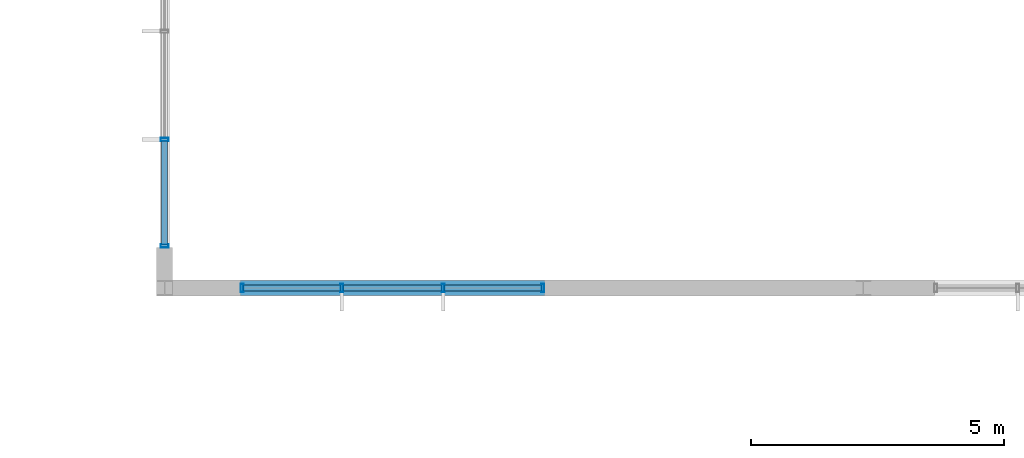
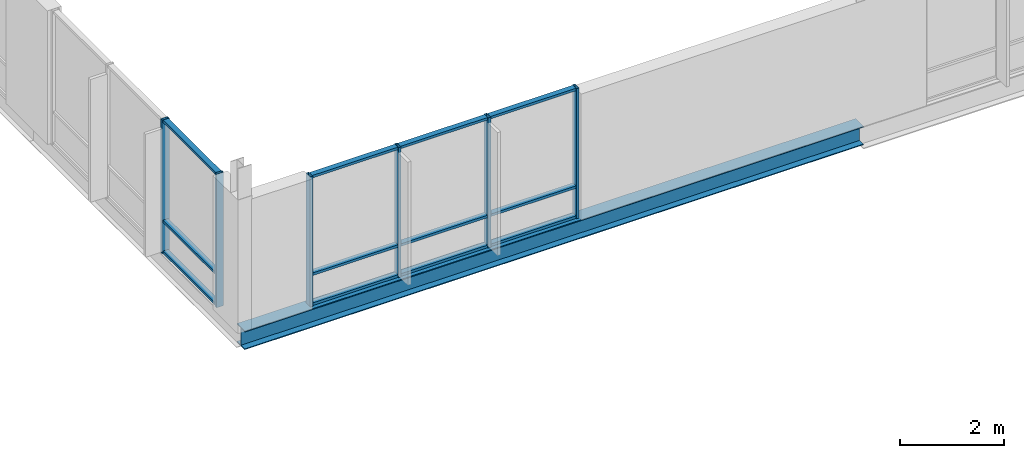
# One storey, part 108 of 189: 18 members, 1 beam, 2 elements without a shape of their own.
"""IFC4 building model written with IfcOpenShell, lengths in metres."""

import ifcopenshell
import ifcopenshell.guid

model = None  # the IFC model being written
_history = None  # IfcOwnerHistory: only IFC2X3 demands one
_inside = {}  # id of a spatial element -> (the spatial element, [elements in it])
_under = {}  # id of a project, library or spatial element -> (it, [spatial elements below it])
_declared = {}  # id of a project -> (the project, [libraries it declares])
_typed = {}  # id of a type object -> (the type object, [elements of that type])
_made_of = {}  # id of a material, layer set ... -> (it, [elements and type objects made of it])


def new_model(schema):
    """Start an empty IFC model of exactly this schema.

    Asked for "IFC4X3", IfcOpenShell would pick the latest addendum, in which some entities
    have other attributes; the version numbers below select the first issue.
    IFC2X3 requires an IfcOwnerHistory on every rooted entity: one is made here for all.
    """
    global model, _history
    if schema == "IFC4X3":
        model = ifcopenshell.file(schema_version=(4, 3, 0, 0))
    else:
        model = ifcopenshell.file(schema=schema)
    _inside.clear()
    _under.clear()
    _declared.clear()
    _typed.clear()
    _made_of.clear()
    _history = None
    if model.schema == "IFC2X3":
        org = make("IfcOrganization", Name="unknown")
        user = make(
            "IfcPersonAndOrganization",
            ThePerson=make("IfcPerson", FamilyName="unknown"),
            TheOrganization=org,
        )
        app = make(
            "IfcApplication",
            ApplicationDeveloper=org,
            Version="unknown",
            ApplicationFullName="unknown",
            ApplicationIdentifier="unknown",
        )
        _history = make(
            "IfcOwnerHistory",
            OwningUser=user,
            OwningApplication=app,
            ChangeAction="ADDED",
            CreationDate=0,
        )
    return model


def make(cls, **values):
    """One entity of the class cls with the attributes given. An attribute that is None is left unset."""
    return model.create_entity(
        cls, **{name: value for name, value in values.items() if value is not None}
    )


def rooted(cls, **values):
    """An entity with a GlobalId (a new one), such as an element, a storey or a relation."""
    return make(cls, GlobalId=ifcopenshell.guid.new(), OwnerHistory=_history, **values)


def si_unit(unit_type, name, prefix=None):
    """IfcSIUnit, for example si_unit("LENGTHUNIT", "METRE", prefix="MILLI")."""
    return make("IfcSIUnit", UnitType=unit_type, Prefix=prefix, Name=name)


def assignment(units):
    """IfcUnitAssignment: the units of a project."""
    return None if units is None else make("IfcUnitAssignment", Units=units)


def point(xyz):
    """IfcCartesianPoint."""
    return None if xyz is None else make("IfcCartesianPoint", Coordinates=xyz)


def direction(xyz):
    """IfcDirection."""
    return None if xyz is None else make("IfcDirection", DirectionRatios=xyz)


def frame(location, z_axis=None, x_axis=None):
    """IfcAxis2Placement3D, a coordinate frame: its origin and axes. An axis left out is left unset."""
    return make(
        "IfcAxis2Placement3D",
        Location=point(location),
        Axis=direction(z_axis),
        RefDirection=direction(x_axis),
    )


def frame_2d(location, x_axis=None):
    """IfcAxis2Placement2D, a coordinate frame in the plane: its origin and x axis."""
    return make(
        "IfcAxis2Placement2D", Location=point(location), RefDirection=direction(x_axis)
    )


def origin():
    """The frame at (0, 0, 0) with its axes left unset."""
    return frame((0.0, 0.0, 0.0))


def origin_2d():
    """The frame at (0, 0) in the plane with its x axis left unset."""
    return frame_2d((0.0, 0.0))


def place(relative_to, where):
    """IfcLocalPlacement: puts the frame where relative to a parent placement (None: the world)."""
    return make(
        "IfcLocalPlacement", PlacementRelTo=relative_to, RelativePlacement=where
    )


def context(
    kind, dimensions, precision=None, world=None, true_north=None, identifier=None
):
    """IfcGeometricRepresentationContext, for example the 3D "Model" context."""
    return make(
        "IfcGeometricRepresentationContext",
        ContextIdentifier=identifier,
        ContextType=kind,
        CoordinateSpaceDimension=dimensions,
        Precision=precision,
        WorldCoordinateSystem=world,
        TrueNorth=true_north,
    )


def subcontext(parent, identifier, kind, view, scale=None):
    """IfcGeometricRepresentationSubContext, for example "Body" below "Model"."""
    return make(
        "IfcGeometricRepresentationSubContext",
        ContextIdentifier=identifier,
        ContextType=kind,
        ParentContext=parent,
        TargetScale=scale,
        TargetView=view,
    )


def project(units=None, contexts=None):
    """IfcProject with its units and contexts."""
    return rooted(
        "IfcProject",
        Name="project",
        RepresentationContexts=contexts,
        UnitsInContext=assignment(units),
    )


def spatial(cls, under=None, at=None, **own):
    """A site, building, storey or space (cls), placed at a placement, below another one or the project."""
    s = rooted(cls, ObjectPlacement=at, **own)
    if under is not None:
        _under.setdefault(under.id(), (under, []))[1].append(s)
    return s


def profile(cls, at=None, kind="AREA", **sizes):
    """A parametric profile (cls). Its sizes go by their IFC names, for example OverallWidth=200.0."""
    return make(cls, ProfileType=kind, Position=at, **sizes)


def hollow_rectangle(**sizes):
    """IfcRectangleHollowProfileDef."""
    return profile("IfcRectangleHollowProfileDef", **sizes)


def i_section(**sizes):
    """IfcIShapeProfileDef."""
    return profile("IfcIShapeProfileDef", **sizes)


def extrude(swept, where, along, depth):
    """IfcExtrudedAreaSolid: the profile swept, set in the frame where, extruded along a direction by depth."""
    return make(
        "IfcExtrudedAreaSolid",
        SweptArea=swept,
        Position=where,
        ExtrudedDirection=direction(along),
        Depth=depth,
    )


def shape(context_of_items, identifier, shape_type, items):
    """IfcShapeRepresentation: the items that make up one representation, for example the "Body"."""
    return make(
        "IfcShapeRepresentation",
        ContextOfItems=context_of_items,
        RepresentationIdentifier=identifier,
        RepresentationType=shape_type,
        Items=items,
    )


def material(Name=None, Category=None):
    """IfcMaterial."""
    return make("IfcMaterial", Name=Name, Category=Category)


def material_profile(
    of_material, cross_section, Name=None, Category=None, Priority=None
):
    """IfcMaterialProfile: a cross section and its material."""
    return make(
        "IfcMaterialProfile",
        Name=Name,
        Material=of_material,
        Profile=cross_section,
        Priority=Priority,
        Category=Category,
    )


def profile_set(profiles, Name=None, composite=None):
    """IfcMaterialProfileSet."""
    return make(
        "IfcMaterialProfileSet",
        Name=Name,
        MaterialProfiles=profiles,
        CompositeProfile=composite,
    )


def made_of(thing, what):
    """Note that an element or type object is made of a material, layer set ...; save() writes the relation."""
    if what is not None:
        _made_of.setdefault(what.id(), (what, []))[1].append(thing)
    return thing


def type_object(cls, material=None, **own):
    """A type object (cls), such as IfcWallType, which elements share."""
    return made_of(rooted(cls, **own), material)


def element(
    cls,
    number,
    at=None,
    inside=None,
    cuts=None,
    type_object=None,
    material=None,
    context=None,
    identifier="Body",
    shape_type=None,
    held_by="IfcProductDefinitionShape",
    body=None,
    shapes=None,
    **own,
):
    """One element of the class cls, such as IfcWall. Its Tag is "e" and its number.

    at: its placement. inside: the storey or other place that contains it. cuts: it is an
    opening in that element (IfcRelVoidsElement). A single representation is given by context,
    identifier, shape_type and body (its items); several are given by shapes. held_by: the class
    of the entity that holds the representations. save() writes the other relations.
    """
    e = rooted(cls, Tag="e%d" % number, ObjectPlacement=at, **own)
    if body is not None:
        shapes = [shape(context, identifier, shape_type, body)]
    if shapes is not None:
        e.Representation = make(held_by, Representations=shapes)
    if inside is not None:
        _inside.setdefault(inside.id(), (inside, []))[1].append(e)
    if cuts is not None:
        rooted(
            "IfcRelVoidsElement", RelatingBuildingElement=cuts, RelatedOpeningElement=e
        )
    if type_object is not None:
        _typed.setdefault(type_object.id(), (type_object, []))[1].append(e)
    return made_of(e, material)


def aggregate(whole, parts):
    """IfcRelAggregates: a whole, such as a stair, and the parts it consists of."""
    return rooted("IfcRelAggregates", RelatingObject=whole, RelatedObjects=parts)


def save(model, path):
    """Write the relations noted so far, then the file.

    IfcRelAggregates (storeys below a building ...), IfcRelContainedInSpatialStructure (elements
    in a storey), IfcRelDefinesByType, IfcRelAssociatesMaterial and IfcRelDeclares: one each for
    every whole, place, type object, material and project.
    """
    for whole, parts in _under.values():
        aggregate(whole, parts)
    for where, things in _inside.values():
        rooted(
            "IfcRelContainedInSpatialStructure",
            RelatedElements=things,
            RelatingStructure=where,
        )
    for kind, things in _typed.values():
        rooted("IfcRelDefinesByType", RelatedObjects=things, RelatingType=kind)
    for what, things in _made_of.values():
        rooted("IfcRelAssociatesMaterial", RelatedObjects=things, RelatingMaterial=what)
    for by, libraries in _declared.values():
        rooted("IfcRelDeclares", RelatingContext=by, RelatedDefinitions=libraries)
    model.write(path)


model = new_model("IFC4")

# Units and contexts
model_context = context("Model", 3, precision=1e-05, world=origin(), true_north=direction((0.0, 1.0)))
body_context = subcontext(model_context, "Body", "Model", "MODEL_VIEW")
ifc_project = project(units=[si_unit("LENGTHUNIT", "METRE"), si_unit("AREAUNIT", "SQUARE_METRE"), si_unit("VOLUMEUNIT", "CUBIC_METRE"), si_unit("PLANEANGLEUNIT", "RADIAN"), si_unit("MASSUNIT", "GRAM", prefix="KILO")], contexts=[model_context])

# Site, building, storey
site_placement = place(None, origin())
site = spatial("IfcSite", under=ifc_project, at=site_placement, CompositionType="ELEMENT")
building_placement = place(site_placement, origin())
building = spatial("IfcBuilding", under=site, at=building_placement, Name="Zavelmont Quarter", CompositionType="ELEMENT")
storey_placement = place(building_placement, frame((0.0, 0.0, 4.39990234375)))
storey = spatial("IfcBuildingStorey", under=building, at=storey_placement, Name="L01", CompositionType="ELEMENT", Elevation=4.39990234375)

# Beam
ifc_material_1 = material(Name="Steel S355", Category="steel")
ifc_material_profile_1 = material_profile(ifc_material_1, i_section(OverallWidth=0.300048828125, OverallDepth=0.43994140625, WebThickness=0.011474609375, FlangeThickness=0.02099609375, at=origin_2d()), Name="HEA 450")
ifc_profile_set_1 = profile_set([ifc_material_profile_1], Name="Steel S355")
beam_type = type_object("IfcBeamType", Name="BM10", PredefinedType="BEAM", material=ifc_profile_set_1)
beam_placement = place(storey_placement, frame((133.5, 38.0, -0.5), z_axis=(1.0, 0.0, 0.0), x_axis=(0.0, 1.0, 0.0)))
element("IfcBeam", 1, at=beam_placement, inside=storey, type_object=beam_type, Name="L01 beam BM10 20/G to 22/G", PredefinedType="BEAM", context=body_context, shape_type="SweptSolid", body=[
    extrude(i_section(OverallWidth=0.300048828125, OverallDepth=0.43994140625, WebThickness=0.011474609375, FlangeThickness=0.02099609375, at=origin_2d()), origin(), (0.0, 0.0, 1.0), 13.800048828125),
])

# Curtain wall, members
ifc_material_2 = material(Name="Thermally broken aluminium and double low-E safety glazing", Category="aluminium")
curtain_wall_type_1 = type_object("IfcCurtainWallType", Name="CW-640X315", PredefinedType="NOTDEFINED", material=ifc_material_2)
curtain_wall_1_placement = place(storey_placement, origin())
curtain_wall_1 = element("IfcCurtainWall", 2, at=curtain_wall_1_placement, inside=storey, type_object=curtain_wall_type_1, Name="L01 unitised curtain wall CW-640X315", PredefinedType="NOTDEFINED")
ifc_material_3 = material(Name="Powder-coated aluminium EN AW-6063-T6", Category="aluminium")
ifc_material_profile_2 = material_profile(ifc_material_3, hollow_rectangle(XDim=0.06005859375, YDim=0.159912109375, WallThickness=0.00390625, at=origin_2d()), Name="CWM60X160")
ifc_profile_set_2 = profile_set([ifc_material_profile_2], Name="Powder-coated aluminium EN AW-6063-T6")
member_type_1 = type_object("IfcMemberType", Name="CWM01", PredefinedType="MULLION", material=ifc_profile_set_2)
member_1_placement = place(storey_placement, frame((133.5, 38.830078125, -0.27978515625), z_axis=(0.0, 0.0, 1.0), x_axis=(0.0, 1.0, 0.0)))
member_1 = element("IfcMember", 3, at=member_1_placement, type_object=member_type_1, Name="CW-640X315 mullion 1", PredefinedType="MULLION", context=body_context, shape_type="SweptSolid", body=[
    extrude(hollow_rectangle(XDim=0.06005859375, YDim=0.159912109375, WallThickness=0.00390625, at=origin_2d()), origin(), (0.0, 0.0, 1.0), 3.14990234375),
])
member_2_placement = place(storey_placement, frame((133.5, 40.933349609375, -0.27978515625), z_axis=(0.0, 0.0, 1.0), x_axis=(0.0, 1.0, 0.0)))
member_2 = element("IfcMember", 4, at=member_2_placement, type_object=member_type_1, Name="CW-640X315 mullion 2", PredefinedType="MULLION", context=body_context, shape_type="SweptSolid", body=[
    extrude(hollow_rectangle(XDim=0.06005859375, YDim=0.159912109375, WallThickness=0.00390625, at=origin_2d()), origin(), (0.0, 0.0, 1.0), 3.14990234375),
])

curtain_wall_type_2 = type_object("IfcCurtainWallType", Name="CW-600X307", PredefinedType="NOTDEFINED", material=ifc_material_2)
curtain_wall_2_placement = place(storey_placement, origin())
curtain_wall_2 = element("IfcCurtainWall", 5, at=curtain_wall_2_placement, inside=storey, type_object=curtain_wall_type_2, Name="L01 unitised curtain wall CW-600X307", PredefinedType="NOTDEFINED")
member_3_placement = place(storey_placement, frame((135.030029296875, 38.0, -0.27978515625), z_axis=(0.0, 0.0, 1.0), x_axis=(1.0, 0.0, 0.0)))
member_3 = element("IfcMember", 6, at=member_3_placement, type_object=member_type_1, Name="CW-600X307 mullion 1", PredefinedType="MULLION", context=body_context, shape_type="SweptSolid", body=[
    extrude(hollow_rectangle(XDim=0.06005859375, YDim=0.159912109375, WallThickness=0.00390625, at=origin_2d()), origin(), (0.0, 0.0, 1.0), 3.06982421875),
])
member_4_placement = place(storey_placement, frame((137.0, 38.0, -0.27978515625), z_axis=(0.0, 0.0, 1.0), x_axis=(1.0, 0.0, 0.0)))
member_4 = element("IfcMember", 7, at=member_4_placement, type_object=member_type_1, Name="CW-600X307 mullion 2", PredefinedType="MULLION", context=body_context, shape_type="SweptSolid", body=[
    extrude(hollow_rectangle(XDim=0.06005859375, YDim=0.159912109375, WallThickness=0.00390625, at=origin_2d()), origin(), (0.0, 0.0, 1.0), 3.06982421875),
])
member_5_placement = place(storey_placement, frame((139.0, 38.0, -0.27978515625), z_axis=(0.0, 0.0, 1.0), x_axis=(1.0, 0.0, 0.0)))
member_5 = element("IfcMember", 8, at=member_5_placement, type_object=member_type_1, Name="CW-600X307 mullion 3", PredefinedType="MULLION", context=body_context, shape_type="SweptSolid", body=[
    extrude(hollow_rectangle(XDim=0.06005859375, YDim=0.159912109375, WallThickness=0.00390625, at=origin_2d()), origin(), (0.0, 0.0, 1.0), 3.06982421875),
])
member_6_placement = place(storey_placement, frame((140.969970703125, 38.0, -0.27978515625), z_axis=(0.0, 0.0, 1.0), x_axis=(1.0, 0.0, 0.0)))
member_6 = element("IfcMember", 9, at=member_6_placement, type_object=member_type_1, Name="CW-600X307 mullion 4", PredefinedType="MULLION", context=body_context, shape_type="SweptSolid", body=[
    extrude(hollow_rectangle(XDim=0.06005859375, YDim=0.159912109375, WallThickness=0.00390625, at=origin_2d()), origin(), (0.0, 0.0, 1.0), 3.06982421875),
])

# Member
ifc_material_profile_3 = material_profile(ifc_material_3, hollow_rectangle(XDim=0.1201171875, YDim=0.06005859375, WallThickness=0.00390625, at=origin_2d()), Name="CWT60X120")
ifc_profile_set_3 = profile_set([ifc_material_profile_3], Name="Powder-coated aluminium EN AW-6063-T6")
member_type_2 = type_object("IfcMemberType", Name="CWT01", PredefinedType="NOTDEFINED", material=ifc_profile_set_3)
member_7_placement = place(storey_placement, frame((133.5, 38.860107421875, -0.25), z_axis=(0.0, 1.0, 0.0), x_axis=(-1.0, 0.0, 0.0)))
member_7 = element("IfcMember", 10, at=member_7_placement, type_object=member_type_2, Name="CW-640X315 transom 1.1", ObjectType="TRANSOM", PredefinedType="USERDEFINED", context=body_context, shape_type="SweptSolid", body=[
    extrude(hollow_rectangle(XDim=0.1201171875, YDim=0.06005859375, WallThickness=0.00390625, at=origin_2d()), origin(), (0.0, 0.0, 1.0), 2.043212890625),
])

member_8_placement = place(storey_placement, frame((133.5, 38.860107421875, 0.47607421875), z_axis=(0.0, 1.0, 0.0), x_axis=(-1.0, 0.0, 0.0)))
member_8 = element("IfcMember", 11, at=member_8_placement, type_object=member_type_2, Name="CW-640X315 transom 1.2", ObjectType="TRANSOM", PredefinedType="USERDEFINED", context=body_context, shape_type="SweptSolid", body=[
    extrude(hollow_rectangle(XDim=0.1201171875, YDim=0.06005859375, WallThickness=0.00390625, at=origin_2d()), origin(), (0.0, 0.0, 1.0), 2.043212890625),
])

member_9_placement = place(storey_placement, frame((133.5, 38.860107421875, 2.840087890625), z_axis=(0.0, 1.0, 0.0), x_axis=(-1.0, 0.0, 0.0)))
member_9 = element("IfcMember", 12, at=member_9_placement, type_object=member_type_2, Name="CW-640X315 transom 1.3", ObjectType="TRANSOM", PredefinedType="USERDEFINED", context=body_context, shape_type="SweptSolid", body=[
    extrude(hollow_rectangle(XDim=0.1201171875, YDim=0.06005859375, WallThickness=0.00390625, at=origin_2d()), origin(), (0.0, 0.0, 1.0), 2.043212890625),
])

aggregate(curtain_wall_1, [member_1, member_2, member_7, member_8, member_9])

member_10_placement = place(storey_placement, frame((135.06005859375, 38.0, -0.25), z_axis=(1.0, 0.0, 0.0), x_axis=(0.0, 1.0, 0.0)))
member_10 = element("IfcMember", 13, at=member_10_placement, type_object=member_type_2, Name="CW-600X307 transom 1.1", ObjectType="TRANSOM", PredefinedType="USERDEFINED", context=body_context, shape_type="SweptSolid", body=[
    extrude(hollow_rectangle(XDim=0.1201171875, YDim=0.06005859375, WallThickness=0.00390625, at=origin_2d()), origin(), (0.0, 0.0, 1.0), 1.909912109375),
])

member_11_placement = place(storey_placement, frame((135.06005859375, 38.0, 0.45703125), z_axis=(1.0, 0.0, 0.0), x_axis=(0.0, 1.0, 0.0)))
member_11 = element("IfcMember", 14, at=member_11_placement, type_object=member_type_2, Name="CW-600X307 transom 1.2", ObjectType="TRANSOM", PredefinedType="USERDEFINED", context=body_context, shape_type="SweptSolid", body=[
    extrude(hollow_rectangle(XDim=0.1201171875, YDim=0.06005859375, WallThickness=0.00390625, at=origin_2d()), origin(), (0.0, 0.0, 1.0), 1.909912109375),
])

member_12_placement = place(storey_placement, frame((135.06005859375, 38.0, 2.760009765625), z_axis=(1.0, 0.0, 0.0), x_axis=(0.0, 1.0, 0.0)))
member_12 = element("IfcMember", 15, at=member_12_placement, type_object=member_type_2, Name="CW-600X307 transom 1.3", ObjectType="TRANSOM", PredefinedType="USERDEFINED", context=body_context, shape_type="SweptSolid", body=[
    extrude(hollow_rectangle(XDim=0.1201171875, YDim=0.06005859375, WallThickness=0.00390625, at=origin_2d()), origin(), (0.0, 0.0, 1.0), 1.909912109375),
])

member_13_placement = place(storey_placement, frame((137.030029296875, 38.0, -0.25), z_axis=(1.0, 0.0, 0.0), x_axis=(0.0, 1.0, 0.0)))
member_13 = element("IfcMember", 16, at=member_13_placement, type_object=member_type_2, Name="CW-600X307 transom 2.1", ObjectType="TRANSOM", PredefinedType="USERDEFINED", context=body_context, shape_type="SweptSolid", body=[
    extrude(hollow_rectangle(XDim=0.1201171875, YDim=0.06005859375, WallThickness=0.00390625, at=origin_2d()), origin(), (0.0, 0.0, 1.0), 1.93994140625),
])

member_14_placement = place(storey_placement, frame((137.030029296875, 38.0, 0.45703125), z_axis=(1.0, 0.0, 0.0), x_axis=(0.0, 1.0, 0.0)))
member_14 = element("IfcMember", 17, at=member_14_placement, type_object=member_type_2, Name="CW-600X307 transom 2.2", ObjectType="TRANSOM", PredefinedType="USERDEFINED", context=body_context, shape_type="SweptSolid", body=[
    extrude(hollow_rectangle(XDim=0.1201171875, YDim=0.06005859375, WallThickness=0.00390625, at=origin_2d()), origin(), (0.0, 0.0, 1.0), 1.93994140625),
])

member_15_placement = place(storey_placement, frame((137.030029296875, 38.0, 2.760009765625), z_axis=(1.0, 0.0, 0.0), x_axis=(0.0, 1.0, 0.0)))
member_15 = element("IfcMember", 18, at=member_15_placement, type_object=member_type_2, Name="CW-600X307 transom 2.3", ObjectType="TRANSOM", PredefinedType="USERDEFINED", context=body_context, shape_type="SweptSolid", body=[
    extrude(hollow_rectangle(XDim=0.1201171875, YDim=0.06005859375, WallThickness=0.00390625, at=origin_2d()), origin(), (0.0, 0.0, 1.0), 1.93994140625),
])

member_16_placement = place(storey_placement, frame((139.030029296875, 38.0, -0.25), z_axis=(1.0, 0.0, 0.0), x_axis=(0.0, 1.0, 0.0)))
member_16 = element("IfcMember", 19, at=member_16_placement, type_object=member_type_2, Name="CW-600X307 transom 3.1", ObjectType="TRANSOM", PredefinedType="USERDEFINED", context=body_context, shape_type="SweptSolid", body=[
    extrude(hollow_rectangle(XDim=0.1201171875, YDim=0.06005859375, WallThickness=0.00390625, at=origin_2d()), origin(), (0.0, 0.0, 1.0), 1.909912109375),
])

member_17_placement = place(storey_placement, frame((139.030029296875, 38.0, 0.45703125), z_axis=(1.0, 0.0, 0.0), x_axis=(0.0, 1.0, 0.0)))
member_17 = element("IfcMember", 20, at=member_17_placement, type_object=member_type_2, Name="CW-600X307 transom 3.2", ObjectType="TRANSOM", PredefinedType="USERDEFINED", context=body_context, shape_type="SweptSolid", body=[
    extrude(hollow_rectangle(XDim=0.1201171875, YDim=0.06005859375, WallThickness=0.00390625, at=origin_2d()), origin(), (0.0, 0.0, 1.0), 1.909912109375),
])

member_18_placement = place(storey_placement, frame((139.030029296875, 38.0, 2.760009765625), z_axis=(1.0, 0.0, 0.0), x_axis=(0.0, 1.0, 0.0)))
member_18 = element("IfcMember", 21, at=member_18_placement, type_object=member_type_2, Name="CW-600X307 transom 3.3", ObjectType="TRANSOM", PredefinedType="USERDEFINED", context=body_context, shape_type="SweptSolid", body=[
    extrude(hollow_rectangle(XDim=0.1201171875, YDim=0.06005859375, WallThickness=0.00390625, at=origin_2d()), origin(), (0.0, 0.0, 1.0), 1.909912109375),
])

aggregate(curtain_wall_2, [member_3, member_4, member_5, member_6, member_10, member_11, member_12, member_13, member_14, member_15, member_16, member_17, member_18])

save(model, "model.ifc")
